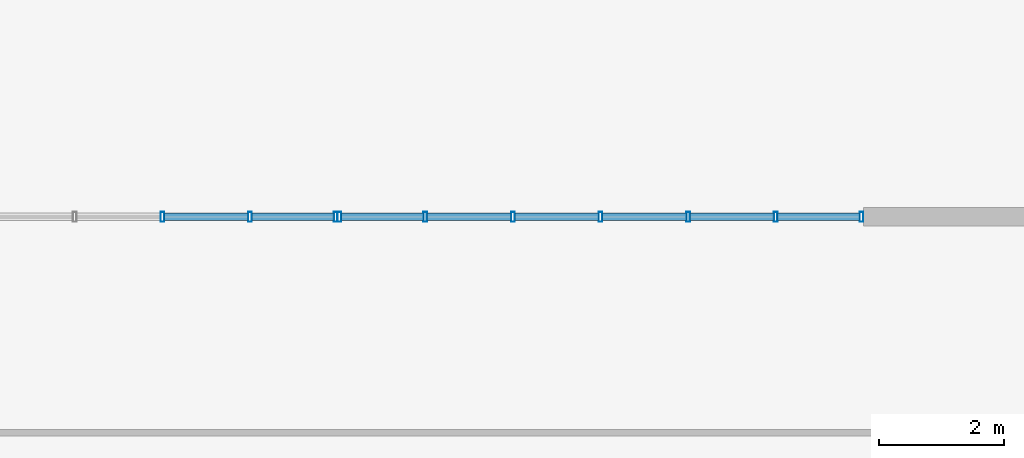
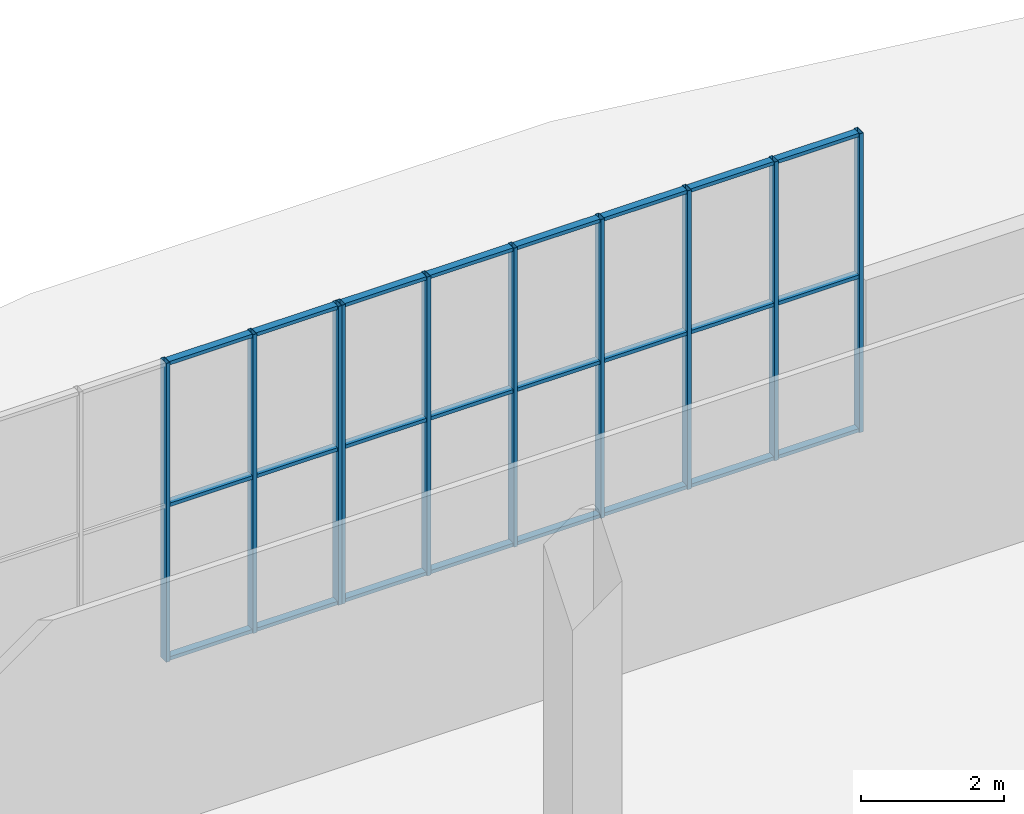
# One storey, part 31 of 91: 34 members, 2 elements without a shape of their own.
"""IFC4 building model written with IfcOpenShell, lengths in metres."""

import ifcopenshell
import ifcopenshell.guid

model = None  # the IFC model being written
_history = None  # IfcOwnerHistory: only IFC2X3 demands one
_inside = {}  # id of a spatial element -> (the spatial element, [elements in it])
_under = {}  # id of a project, library or spatial element -> (it, [spatial elements below it])
_declared = {}  # id of a project -> (the project, [libraries it declares])
_typed = {}  # id of a type object -> (the type object, [elements of that type])
_made_of = {}  # id of a material, layer set ... -> (it, [elements and type objects made of it])


def new_model(schema):
    """Start an empty IFC model of exactly this schema.

    Asked for "IFC4X3", IfcOpenShell would pick the latest addendum, in which some entities
    have other attributes; the version numbers below select the first issue.
    IFC2X3 requires an IfcOwnerHistory on every rooted entity: one is made here for all.
    """
    global model, _history
    if schema == "IFC4X3":
        model = ifcopenshell.file(schema_version=(4, 3, 0, 0))
    else:
        model = ifcopenshell.file(schema=schema)
    _inside.clear()
    _under.clear()
    _declared.clear()
    _typed.clear()
    _made_of.clear()
    _history = None
    if model.schema == "IFC2X3":
        org = make("IfcOrganization", Name="unknown")
        user = make(
            "IfcPersonAndOrganization",
            ThePerson=make("IfcPerson", FamilyName="unknown"),
            TheOrganization=org,
        )
        app = make(
            "IfcApplication",
            ApplicationDeveloper=org,
            Version="unknown",
            ApplicationFullName="unknown",
            ApplicationIdentifier="unknown",
        )
        _history = make(
            "IfcOwnerHistory",
            OwningUser=user,
            OwningApplication=app,
            ChangeAction="ADDED",
            CreationDate=0,
        )
    return model


def make(cls, **values):
    """One entity of the class cls with the attributes given. An attribute that is None is left unset."""
    return model.create_entity(
        cls, **{name: value for name, value in values.items() if value is not None}
    )


def rooted(cls, **values):
    """An entity with a GlobalId (a new one), such as an element, a storey or a relation."""
    return make(cls, GlobalId=ifcopenshell.guid.new(), OwnerHistory=_history, **values)


def si_unit(unit_type, name, prefix=None):
    """IfcSIUnit, for example si_unit("LENGTHUNIT", "METRE", prefix="MILLI")."""
    return make("IfcSIUnit", UnitType=unit_type, Prefix=prefix, Name=name)


def assignment(units):
    """IfcUnitAssignment: the units of a project."""
    return None if units is None else make("IfcUnitAssignment", Units=units)


def point(xyz):
    """IfcCartesianPoint."""
    return None if xyz is None else make("IfcCartesianPoint", Coordinates=xyz)


def direction(xyz):
    """IfcDirection."""
    return None if xyz is None else make("IfcDirection", DirectionRatios=xyz)


def frame(location, z_axis=None, x_axis=None):
    """IfcAxis2Placement3D, a coordinate frame: its origin and axes. An axis left out is left unset."""
    return make(
        "IfcAxis2Placement3D",
        Location=point(location),
        Axis=direction(z_axis),
        RefDirection=direction(x_axis),
    )


def frame_2d(location, x_axis=None):
    """IfcAxis2Placement2D, a coordinate frame in the plane: its origin and x axis."""
    return make(
        "IfcAxis2Placement2D", Location=point(location), RefDirection=direction(x_axis)
    )


def origin():
    """The frame at (0, 0, 0) with its axes left unset."""
    return frame((0.0, 0.0, 0.0))


def origin_2d():
    """The frame at (0, 0) in the plane with its x axis left unset."""
    return frame_2d((0.0, 0.0))


def place(relative_to, where):
    """IfcLocalPlacement: puts the frame where relative to a parent placement (None: the world)."""
    return make(
        "IfcLocalPlacement", PlacementRelTo=relative_to, RelativePlacement=where
    )


def context(
    kind, dimensions, precision=None, world=None, true_north=None, identifier=None
):
    """IfcGeometricRepresentationContext, for example the 3D "Model" context."""
    return make(
        "IfcGeometricRepresentationContext",
        ContextIdentifier=identifier,
        ContextType=kind,
        CoordinateSpaceDimension=dimensions,
        Precision=precision,
        WorldCoordinateSystem=world,
        TrueNorth=true_north,
    )


def subcontext(parent, identifier, kind, view, scale=None):
    """IfcGeometricRepresentationSubContext, for example "Body" below "Model"."""
    return make(
        "IfcGeometricRepresentationSubContext",
        ContextIdentifier=identifier,
        ContextType=kind,
        ParentContext=parent,
        TargetScale=scale,
        TargetView=view,
    )


def project(units=None, contexts=None):
    """IfcProject with its units and contexts."""
    return rooted(
        "IfcProject",
        Name="project",
        RepresentationContexts=contexts,
        UnitsInContext=assignment(units),
    )


def spatial(cls, under=None, at=None, **own):
    """A site, building, storey or space (cls), placed at a placement, below another one or the project."""
    s = rooted(cls, ObjectPlacement=at, **own)
    if under is not None:
        _under.setdefault(under.id(), (under, []))[1].append(s)
    return s


def profile(cls, at=None, kind="AREA", **sizes):
    """A parametric profile (cls). Its sizes go by their IFC names, for example OverallWidth=200.0."""
    return make(cls, ProfileType=kind, Position=at, **sizes)


def hollow_rectangle(**sizes):
    """IfcRectangleHollowProfileDef."""
    return profile("IfcRectangleHollowProfileDef", **sizes)


def extrude(swept, where, along, depth):
    """IfcExtrudedAreaSolid: the profile swept, set in the frame where, extruded along a direction by depth."""
    return make(
        "IfcExtrudedAreaSolid",
        SweptArea=swept,
        Position=where,
        ExtrudedDirection=direction(along),
        Depth=depth,
    )


def shape(context_of_items, identifier, shape_type, items):
    """IfcShapeRepresentation: the items that make up one representation, for example the "Body"."""
    return make(
        "IfcShapeRepresentation",
        ContextOfItems=context_of_items,
        RepresentationIdentifier=identifier,
        RepresentationType=shape_type,
        Items=items,
    )


def material(Name=None, Category=None):
    """IfcMaterial."""
    return make("IfcMaterial", Name=Name, Category=Category)


def material_profile(
    of_material, cross_section, Name=None, Category=None, Priority=None
):
    """IfcMaterialProfile: a cross section and its material."""
    return make(
        "IfcMaterialProfile",
        Name=Name,
        Material=of_material,
        Profile=cross_section,
        Priority=Priority,
        Category=Category,
    )


def profile_set(profiles, Name=None, composite=None):
    """IfcMaterialProfileSet."""
    return make(
        "IfcMaterialProfileSet",
        Name=Name,
        MaterialProfiles=profiles,
        CompositeProfile=composite,
    )


def made_of(thing, what):
    """Note that an element or type object is made of a material, layer set ...; save() writes the relation."""
    if what is not None:
        _made_of.setdefault(what.id(), (what, []))[1].append(thing)
    return thing


def type_object(cls, material=None, **own):
    """A type object (cls), such as IfcWallType, which elements share."""
    return made_of(rooted(cls, **own), material)


def element(
    cls,
    number,
    at=None,
    inside=None,
    cuts=None,
    type_object=None,
    material=None,
    context=None,
    identifier="Body",
    shape_type=None,
    held_by="IfcProductDefinitionShape",
    body=None,
    shapes=None,
    **own,
):
    """One element of the class cls, such as IfcWall. Its Tag is "e" and its number.

    at: its placement. inside: the storey or other place that contains it. cuts: it is an
    opening in that element (IfcRelVoidsElement). A single representation is given by context,
    identifier, shape_type and body (its items); several are given by shapes. held_by: the class
    of the entity that holds the representations. save() writes the other relations.
    """
    e = rooted(cls, Tag="e%d" % number, ObjectPlacement=at, **own)
    if body is not None:
        shapes = [shape(context, identifier, shape_type, body)]
    if shapes is not None:
        e.Representation = make(held_by, Representations=shapes)
    if inside is not None:
        _inside.setdefault(inside.id(), (inside, []))[1].append(e)
    if cuts is not None:
        rooted(
            "IfcRelVoidsElement", RelatingBuildingElement=cuts, RelatedOpeningElement=e
        )
    if type_object is not None:
        _typed.setdefault(type_object.id(), (type_object, []))[1].append(e)
    return made_of(e, material)


def aggregate(whole, parts):
    """IfcRelAggregates: a whole, such as a stair, and the parts it consists of."""
    return rooted("IfcRelAggregates", RelatingObject=whole, RelatedObjects=parts)


def save(model, path):
    """Write the relations noted so far, then the file.

    IfcRelAggregates (storeys below a building ...), IfcRelContainedInSpatialStructure (elements
    in a storey), IfcRelDefinesByType, IfcRelAssociatesMaterial and IfcRelDeclares: one each for
    every whole, place, type object, material and project.
    """
    for whole, parts in _under.values():
        aggregate(whole, parts)
    for where, things in _inside.values():
        rooted(
            "IfcRelContainedInSpatialStructure",
            RelatedElements=things,
            RelatingStructure=where,
        )
    for kind, things in _typed.values():
        rooted("IfcRelDefinesByType", RelatedObjects=things, RelatingType=kind)
    for what, things in _made_of.values():
        rooted("IfcRelAssociatesMaterial", RelatedObjects=things, RelatingMaterial=what)
    for by, libraries in _declared.values():
        rooted("IfcRelDeclares", RelatingContext=by, RelatedDefinitions=libraries)
    model.write(path)


model = new_model("IFC4")

# Units and contexts
model_context = context("Model", 3, precision=1e-05, world=origin(), true_north=direction((0.0, 1.0)))
body_context = subcontext(model_context, "Body", "Model", "MODEL_VIEW")
ifc_project = project(units=[si_unit("LENGTHUNIT", "METRE"), si_unit("AREAUNIT", "SQUARE_METRE"), si_unit("VOLUMEUNIT", "CUBIC_METRE"), si_unit("PLANEANGLEUNIT", "RADIAN"), si_unit("MASSUNIT", "GRAM", prefix="KILO")], contexts=[model_context])

# Site, building, storey
site_placement = place(None, origin())
site = spatial("IfcSite", under=ifc_project, at=site_placement, CompositionType="ELEMENT")
building_placement = place(site_placement, origin())
building = spatial("IfcBuilding", under=site, at=building_placement, Name="Khurvash Pelagic Aquarium", CompositionType="ELEMENT")
storey_placement = place(building_placement, origin())
storey = spatial("IfcBuildingStorey", under=building, at=storey_placement, Name="L00", CompositionType="ELEMENT", Elevation=0.0)

# Curtain wall, members
ifc_material_1 = material(Name="Anodised aluminium and low-E laminated glass", Category="aluminium")
curtain_wall_type = type_object("IfcCurtainWallType", Name="CW-02", PredefinedType="USERDEFINED", material=ifc_material_1)
curtain_wall_1_placement = place(storey_placement, origin())
curtain_wall_1 = element("IfcCurtainWall", 1, at=curtain_wall_1_placement, inside=storey, type_object=curtain_wall_type, Name="L00 Facade Unitised Curtain Wall CW-02 0096", ObjectType="UNITISED CURTAIN WALL", PredefinedType="USERDEFINED")
ifc_material_2 = material(Name="Extruded aluminium AW-6063-T6", Category="aluminium")
ifc_material_profile_1 = material_profile(ifc_material_2, hollow_rectangle(XDim=0.06005859375, YDim=0.159912109375, WallThickness=0.00390625, at=origin_2d()), Name="CWM60X160X4")
ifc_profile_set_1 = profile_set([ifc_material_profile_1], Name="Extruded aluminium AW-6063-T6")
member_type_1 = type_object("IfcMemberType", Name="CM-02", PredefinedType="MULLION", material=ifc_profile_set_1)
member_1_placement = place(storey_placement, frame((75.570068359375, 36.550048828125, 0.0), z_axis=(0.0, 0.0, 1.0), x_axis=(-1.0, 0.0, 0.0)))
member_1 = element("IfcMember", 2, at=member_1_placement, type_object=member_type_1, Name="CW-02 mullion 1", PredefinedType="MULLION", context=body_context, shape_type="SweptSolid", body=[
    extrude(hollow_rectangle(XDim=0.06005859375, YDim=0.159912109375, WallThickness=0.00390625, at=origin_2d()), origin(), (0.0, 0.0, 1.0), 5.090087890625),
])
member_2_placement = place(storey_placement, frame((74.199951171875, 36.550048828125, 0.0), z_axis=(0.0, 0.0, 1.0), x_axis=(-1.0, 0.0, 0.0)))
member_2 = element("IfcMember", 3, at=member_2_placement, type_object=member_type_1, Name="CW-02 mullion 2", PredefinedType="MULLION", context=body_context, shape_type="SweptSolid", body=[
    extrude(hollow_rectangle(XDim=0.06005859375, YDim=0.159912109375, WallThickness=0.00390625, at=origin_2d()), origin(), (0.0, 0.0, 1.0), 5.090087890625),
])
member_3_placement = place(storey_placement, frame((72.800048828125, 36.550048828125, 0.0), z_axis=(0.0, 0.0, 1.0), x_axis=(-1.0, 0.0, 0.0)))
member_3 = element("IfcMember", 4, at=member_3_placement, type_object=member_type_1, Name="CW-02 mullion 3", PredefinedType="MULLION", context=body_context, shape_type="SweptSolid", body=[
    extrude(hollow_rectangle(XDim=0.06005859375, YDim=0.159912109375, WallThickness=0.00390625, at=origin_2d()), origin(), (0.0, 0.0, 1.0), 5.090087890625),
])
member_4_placement = place(storey_placement, frame((71.39990234375, 36.550048828125, 0.0), z_axis=(0.0, 0.0, 1.0), x_axis=(-1.0, 0.0, 0.0)))
member_4 = element("IfcMember", 5, at=member_4_placement, type_object=member_type_1, Name="CW-02 mullion 4", PredefinedType="MULLION", context=body_context, shape_type="SweptSolid", body=[
    extrude(hollow_rectangle(XDim=0.06005859375, YDim=0.159912109375, WallThickness=0.00390625, at=origin_2d()), origin(), (0.0, 0.0, 1.0), 5.090087890625),
])
member_5_placement = place(storey_placement, frame((70.0, 36.550048828125, 0.0), z_axis=(0.0, 0.0, 1.0), x_axis=(-1.0, 0.0, 0.0)))
member_5 = element("IfcMember", 6, at=member_5_placement, type_object=member_type_1, Name="CW-02 mullion 5", PredefinedType="MULLION", context=body_context, shape_type="SweptSolid", body=[
    extrude(hollow_rectangle(XDim=0.06005859375, YDim=0.159912109375, WallThickness=0.00390625, at=origin_2d()), origin(), (0.0, 0.0, 1.0), 5.090087890625),
])
member_6_placement = place(storey_placement, frame((68.60009765625, 36.550048828125, 0.0), z_axis=(0.0, 0.0, 1.0), x_axis=(-1.0, 0.0, 0.0)))
member_6 = element("IfcMember", 7, at=member_6_placement, type_object=member_type_1, Name="CW-02 mullion 6", PredefinedType="MULLION", context=body_context, shape_type="SweptSolid", body=[
    extrude(hollow_rectangle(XDim=0.06005859375, YDim=0.159912109375, WallThickness=0.00390625, at=origin_2d()), origin(), (0.0, 0.0, 1.0), 5.090087890625),
])
member_7_placement = place(storey_placement, frame((67.22998046875, 36.550048828125, 0.0), z_axis=(0.0, 0.0, 1.0), x_axis=(-1.0, 0.0, 0.0)))
member_7 = element("IfcMember", 8, at=member_7_placement, type_object=member_type_1, Name="CW-02 mullion 7", PredefinedType="MULLION", context=body_context, shape_type="SweptSolid", body=[
    extrude(hollow_rectangle(XDim=0.06005859375, YDim=0.159912109375, WallThickness=0.00390625, at=origin_2d()), origin(), (0.0, 0.0, 1.0), 5.090087890625),
])

curtain_wall_2_placement = place(storey_placement, origin())
curtain_wall_2 = element("IfcCurtainWall", 9, at=curtain_wall_2_placement, inside=storey, type_object=curtain_wall_type, Name="L00 Facade Unitised Curtain Wall CW-02 0097", ObjectType="UNITISED CURTAIN WALL", PredefinedType="USERDEFINED")
member_8_placement = place(storey_placement, frame((67.169921875, 36.550048828125, 0.0), z_axis=(0.0, 0.0, 1.0), x_axis=(-1.0, 0.0, 0.0)))
member_8 = element("IfcMember", 10, at=member_8_placement, type_object=member_type_1, Name="CW-02 mullion 1", PredefinedType="MULLION", context=body_context, shape_type="SweptSolid", body=[
    extrude(hollow_rectangle(XDim=0.06005859375, YDim=0.159912109375, WallThickness=0.00390625, at=origin_2d()), origin(), (0.0, 0.0, 1.0), 5.090087890625),
])
member_9_placement = place(storey_placement, frame((65.800048828125, 36.550048828125, 0.0), z_axis=(0.0, 0.0, 1.0), x_axis=(-1.0, 0.0, 0.0)))
member_9 = element("IfcMember", 11, at=member_9_placement, type_object=member_type_1, Name="CW-02 mullion 2", PredefinedType="MULLION", context=body_context, shape_type="SweptSolid", body=[
    extrude(hollow_rectangle(XDim=0.06005859375, YDim=0.159912109375, WallThickness=0.00390625, at=origin_2d()), origin(), (0.0, 0.0, 1.0), 5.090087890625),
])
member_10_placement = place(storey_placement, frame((64.39990234375, 36.550048828125, 0.0), z_axis=(0.0, 0.0, 1.0), x_axis=(-1.0, 0.0, 0.0)))
member_10 = element("IfcMember", 12, at=member_10_placement, type_object=member_type_1, Name="CW-02 mullion 3", PredefinedType="MULLION", context=body_context, shape_type="SweptSolid", body=[
    extrude(hollow_rectangle(XDim=0.06005859375, YDim=0.159912109375, WallThickness=0.00390625, at=origin_2d()), origin(), (0.0, 0.0, 1.0), 5.090087890625),
])

# Member
ifc_material_profile_2 = material_profile(ifc_material_2, hollow_rectangle(XDim=0.1201171875, YDim=0.06005859375, WallThickness=0.00390625, at=origin_2d()), Name="CWT120X60X4")
ifc_profile_set_2 = profile_set([ifc_material_profile_2], Name="Extruded aluminium AW-6063-T6")
member_type_2 = type_object("IfcMemberType", Name="CT-02", PredefinedType="USERDEFINED", material=ifc_profile_set_2)
member_11_placement = place(storey_placement, frame((75.5400390625, 36.550048828125, 0.030029296875), z_axis=(-1.0, 0.0, 0.0), x_axis=(0.0, -1.0, 0.0)))
member_11 = element("IfcMember", 13, at=member_11_placement, type_object=member_type_2, Name="CW-02 transom 1.1", ObjectType="TRANSOM", PredefinedType="USERDEFINED", context=body_context, shape_type="SweptSolid", body=[
    extrude(hollow_rectangle(XDim=0.1201171875, YDim=0.06005859375, WallThickness=0.00390625, at=origin_2d()), origin(), (0.0, 0.0, 1.0), 1.31005859375),
])

member_12_placement = place(storey_placement, frame((75.5400390625, 36.550048828125, 2.64697265625), z_axis=(-1.0, 0.0, 0.0), x_axis=(0.0, -1.0, 0.0)))
member_12 = element("IfcMember", 14, at=member_12_placement, type_object=member_type_2, Name="CW-02 transom 1.2", ObjectType="TRANSOM", PredefinedType="USERDEFINED", context=body_context, shape_type="SweptSolid", body=[
    extrude(hollow_rectangle(XDim=0.1201171875, YDim=0.06005859375, WallThickness=0.00390625, at=origin_2d()), origin(), (0.0, 0.0, 1.0), 1.31005859375),
])

member_13_placement = place(storey_placement, frame((75.5400390625, 36.550048828125, 5.06005859375), z_axis=(-1.0, 0.0, 0.0), x_axis=(0.0, -1.0, 0.0)))
member_13 = element("IfcMember", 15, at=member_13_placement, type_object=member_type_2, Name="CW-02 transom 1.3", ObjectType="TRANSOM", PredefinedType="USERDEFINED", context=body_context, shape_type="SweptSolid", body=[
    extrude(hollow_rectangle(XDim=0.1201171875, YDim=0.06005859375, WallThickness=0.00390625, at=origin_2d()), origin(), (0.0, 0.0, 1.0), 1.31005859375),
])

member_14_placement = place(storey_placement, frame((74.169921875, 36.550048828125, 0.030029296875), z_axis=(-1.0, 0.0, 0.0), x_axis=(0.0, -1.0, 0.0)))
member_14 = element("IfcMember", 16, at=member_14_placement, type_object=member_type_2, Name="CW-02 transom 2.1", ObjectType="TRANSOM", PredefinedType="USERDEFINED", context=body_context, shape_type="SweptSolid", body=[
    extrude(hollow_rectangle(XDim=0.1201171875, YDim=0.06005859375, WallThickness=0.00390625, at=origin_2d()), origin(), (0.0, 0.0, 1.0), 1.33984375),
])

member_15_placement = place(storey_placement, frame((74.169921875, 36.550048828125, 2.64697265625), z_axis=(-1.0, 0.0, 0.0), x_axis=(0.0, -1.0, 0.0)))
member_15 = element("IfcMember", 17, at=member_15_placement, type_object=member_type_2, Name="CW-02 transom 2.2", ObjectType="TRANSOM", PredefinedType="USERDEFINED", context=body_context, shape_type="SweptSolid", body=[
    extrude(hollow_rectangle(XDim=0.1201171875, YDim=0.06005859375, WallThickness=0.00390625, at=origin_2d()), origin(), (0.0, 0.0, 1.0), 1.33984375),
])

member_16_placement = place(storey_placement, frame((74.169921875, 36.550048828125, 5.06005859375), z_axis=(-1.0, 0.0, 0.0), x_axis=(0.0, -1.0, 0.0)))
member_16 = element("IfcMember", 18, at=member_16_placement, type_object=member_type_2, Name="CW-02 transom 2.3", ObjectType="TRANSOM", PredefinedType="USERDEFINED", context=body_context, shape_type="SweptSolid", body=[
    extrude(hollow_rectangle(XDim=0.1201171875, YDim=0.06005859375, WallThickness=0.00390625, at=origin_2d()), origin(), (0.0, 0.0, 1.0), 1.33984375),
])

member_17_placement = place(storey_placement, frame((72.77001953125, 36.550048828125, 0.030029296875), z_axis=(-1.0, 0.0, 0.0), x_axis=(0.0, -1.0, 0.0)))
member_17 = element("IfcMember", 19, at=member_17_placement, type_object=member_type_2, Name="CW-02 transom 3.1", ObjectType="TRANSOM", PredefinedType="USERDEFINED", context=body_context, shape_type="SweptSolid", body=[
    extrude(hollow_rectangle(XDim=0.1201171875, YDim=0.06005859375, WallThickness=0.00390625, at=origin_2d()), origin(), (0.0, 0.0, 1.0), 1.340087890625),
])

member_18_placement = place(storey_placement, frame((72.77001953125, 36.550048828125, 2.64697265625), z_axis=(-1.0, 0.0, 0.0), x_axis=(0.0, -1.0, 0.0)))
member_18 = element("IfcMember", 20, at=member_18_placement, type_object=member_type_2, Name="CW-02 transom 3.2", ObjectType="TRANSOM", PredefinedType="USERDEFINED", context=body_context, shape_type="SweptSolid", body=[
    extrude(hollow_rectangle(XDim=0.1201171875, YDim=0.06005859375, WallThickness=0.00390625, at=origin_2d()), origin(), (0.0, 0.0, 1.0), 1.340087890625),
])

member_19_placement = place(storey_placement, frame((72.77001953125, 36.550048828125, 5.06005859375), z_axis=(-1.0, 0.0, 0.0), x_axis=(0.0, -1.0, 0.0)))
member_19 = element("IfcMember", 21, at=member_19_placement, type_object=member_type_2, Name="CW-02 transom 3.3", ObjectType="TRANSOM", PredefinedType="USERDEFINED", context=body_context, shape_type="SweptSolid", body=[
    extrude(hollow_rectangle(XDim=0.1201171875, YDim=0.06005859375, WallThickness=0.00390625, at=origin_2d()), origin(), (0.0, 0.0, 1.0), 1.340087890625),
])

member_20_placement = place(storey_placement, frame((71.3701171875, 36.550048828125, 0.030029296875), z_axis=(-1.0, 0.0, 0.0), x_axis=(0.0, -1.0, 0.0)))
member_20 = element("IfcMember", 22, at=member_20_placement, type_object=member_type_2, Name="CW-02 transom 4.1", ObjectType="TRANSOM", PredefinedType="USERDEFINED", context=body_context, shape_type="SweptSolid", body=[
    extrude(hollow_rectangle(XDim=0.1201171875, YDim=0.06005859375, WallThickness=0.00390625, at=origin_2d()), origin(), (0.0, 0.0, 1.0), 1.340087890625),
])

member_21_placement = place(storey_placement, frame((71.3701171875, 36.550048828125, 2.64697265625), z_axis=(-1.0, 0.0, 0.0), x_axis=(0.0, -1.0, 0.0)))
member_21 = element("IfcMember", 23, at=member_21_placement, type_object=member_type_2, Name="CW-02 transom 4.2", ObjectType="TRANSOM", PredefinedType="USERDEFINED", context=body_context, shape_type="SweptSolid", body=[
    extrude(hollow_rectangle(XDim=0.1201171875, YDim=0.06005859375, WallThickness=0.00390625, at=origin_2d()), origin(), (0.0, 0.0, 1.0), 1.340087890625),
])

member_22_placement = place(storey_placement, frame((71.3701171875, 36.550048828125, 5.06005859375), z_axis=(-1.0, 0.0, 0.0), x_axis=(0.0, -1.0, 0.0)))
member_22 = element("IfcMember", 24, at=member_22_placement, type_object=member_type_2, Name="CW-02 transom 4.3", ObjectType="TRANSOM", PredefinedType="USERDEFINED", context=body_context, shape_type="SweptSolid", body=[
    extrude(hollow_rectangle(XDim=0.1201171875, YDim=0.06005859375, WallThickness=0.00390625, at=origin_2d()), origin(), (0.0, 0.0, 1.0), 1.340087890625),
])

member_23_placement = place(storey_placement, frame((69.969970703125, 36.550048828125, 0.030029296875), z_axis=(-1.0, 0.0, 0.0), x_axis=(0.0, -1.0, 0.0)))
member_23 = element("IfcMember", 25, at=member_23_placement, type_object=member_type_2, Name="CW-02 transom 5.1", ObjectType="TRANSOM", PredefinedType="USERDEFINED", context=body_context, shape_type="SweptSolid", body=[
    extrude(hollow_rectangle(XDim=0.1201171875, YDim=0.06005859375, WallThickness=0.00390625, at=origin_2d()), origin(), (0.0, 0.0, 1.0), 1.340087890625),
])

member_24_placement = place(storey_placement, frame((69.969970703125, 36.550048828125, 2.64697265625), z_axis=(-1.0, 0.0, 0.0), x_axis=(0.0, -1.0, 0.0)))
member_24 = element("IfcMember", 26, at=member_24_placement, type_object=member_type_2, Name="CW-02 transom 5.2", ObjectType="TRANSOM", PredefinedType="USERDEFINED", context=body_context, shape_type="SweptSolid", body=[
    extrude(hollow_rectangle(XDim=0.1201171875, YDim=0.06005859375, WallThickness=0.00390625, at=origin_2d()), origin(), (0.0, 0.0, 1.0), 1.340087890625),
])

member_25_placement = place(storey_placement, frame((69.969970703125, 36.550048828125, 5.06005859375), z_axis=(-1.0, 0.0, 0.0), x_axis=(0.0, -1.0, 0.0)))
member_25 = element("IfcMember", 27, at=member_25_placement, type_object=member_type_2, Name="CW-02 transom 5.3", ObjectType="TRANSOM", PredefinedType="USERDEFINED", context=body_context, shape_type="SweptSolid", body=[
    extrude(hollow_rectangle(XDim=0.1201171875, YDim=0.06005859375, WallThickness=0.00390625, at=origin_2d()), origin(), (0.0, 0.0, 1.0), 1.340087890625),
])

member_26_placement = place(storey_placement, frame((68.570068359375, 36.550048828125, 0.030029296875), z_axis=(-1.0, 0.0, 0.0), x_axis=(0.0, -1.0, 0.0)))
member_26 = element("IfcMember", 28, at=member_26_placement, type_object=member_type_2, Name="CW-02 transom 6.1", ObjectType="TRANSOM", PredefinedType="USERDEFINED", context=body_context, shape_type="SweptSolid", body=[
    extrude(hollow_rectangle(XDim=0.1201171875, YDim=0.06005859375, WallThickness=0.00390625, at=origin_2d()), origin(), (0.0, 0.0, 1.0), 1.31005859375),
])

member_27_placement = place(storey_placement, frame((68.570068359375, 36.550048828125, 2.64697265625), z_axis=(-1.0, 0.0, 0.0), x_axis=(0.0, -1.0, 0.0)))
member_27 = element("IfcMember", 29, at=member_27_placement, type_object=member_type_2, Name="CW-02 transom 6.2", ObjectType="TRANSOM", PredefinedType="USERDEFINED", context=body_context, shape_type="SweptSolid", body=[
    extrude(hollow_rectangle(XDim=0.1201171875, YDim=0.06005859375, WallThickness=0.00390625, at=origin_2d()), origin(), (0.0, 0.0, 1.0), 1.31005859375),
])

member_28_placement = place(storey_placement, frame((68.570068359375, 36.550048828125, 5.06005859375), z_axis=(-1.0, 0.0, 0.0), x_axis=(0.0, -1.0, 0.0)))
member_28 = element("IfcMember", 30, at=member_28_placement, type_object=member_type_2, Name="CW-02 transom 6.3", ObjectType="TRANSOM", PredefinedType="USERDEFINED", context=body_context, shape_type="SweptSolid", body=[
    extrude(hollow_rectangle(XDim=0.1201171875, YDim=0.06005859375, WallThickness=0.00390625, at=origin_2d()), origin(), (0.0, 0.0, 1.0), 1.31005859375),
])

aggregate(curtain_wall_1, [member_1, member_2, member_3, member_4, member_5, member_6, member_7, member_11, member_12, member_13, member_14, member_15, member_16, member_17, member_18, member_19, member_20, member_21, member_22, member_23, member_24, member_25, member_26, member_27, member_28])

member_29_placement = place(storey_placement, frame((67.139892578125, 36.550048828125, 0.030029296875), z_axis=(-1.0, 0.0, 0.0), x_axis=(0.0, -1.0, 0.0)))
member_29 = element("IfcMember", 31, at=member_29_placement, type_object=member_type_2, Name="CW-02 transom 1.1", ObjectType="TRANSOM", PredefinedType="USERDEFINED", context=body_context, shape_type="SweptSolid", body=[
    extrude(hollow_rectangle(XDim=0.1201171875, YDim=0.06005859375, WallThickness=0.00390625, at=origin_2d()), origin(), (0.0, 0.0, 1.0), 1.309814453125),
])

member_30_placement = place(storey_placement, frame((67.139892578125, 36.550048828125, 2.64697265625), z_axis=(-1.0, 0.0, 0.0), x_axis=(0.0, -1.0, 0.0)))
member_30 = element("IfcMember", 32, at=member_30_placement, type_object=member_type_2, Name="CW-02 transom 1.2", ObjectType="TRANSOM", PredefinedType="USERDEFINED", context=body_context, shape_type="SweptSolid", body=[
    extrude(hollow_rectangle(XDim=0.1201171875, YDim=0.06005859375, WallThickness=0.00390625, at=origin_2d()), origin(), (0.0, 0.0, 1.0), 1.309814453125),
])

member_31_placement = place(storey_placement, frame((67.139892578125, 36.550048828125, 5.06005859375), z_axis=(-1.0, 0.0, 0.0), x_axis=(0.0, -1.0, 0.0)))
member_31 = element("IfcMember", 33, at=member_31_placement, type_object=member_type_2, Name="CW-02 transom 1.3", ObjectType="TRANSOM", PredefinedType="USERDEFINED", context=body_context, shape_type="SweptSolid", body=[
    extrude(hollow_rectangle(XDim=0.1201171875, YDim=0.06005859375, WallThickness=0.00390625, at=origin_2d()), origin(), (0.0, 0.0, 1.0), 1.309814453125),
])

member_32_placement = place(storey_placement, frame((65.77001953125, 36.550048828125, 0.030029296875), z_axis=(-1.0, 0.0, 0.0), x_axis=(0.0, -1.0, 0.0)))
member_32 = element("IfcMember", 34, at=member_32_placement, type_object=member_type_2, Name="CW-02 transom 2.1", ObjectType="TRANSOM", PredefinedType="USERDEFINED", context=body_context, shape_type="SweptSolid", body=[
    extrude(hollow_rectangle(XDim=0.1201171875, YDim=0.06005859375, WallThickness=0.00390625, at=origin_2d()), origin(), (0.0, 0.0, 1.0), 1.340087890625),
])

member_33_placement = place(storey_placement, frame((65.77001953125, 36.550048828125, 2.64697265625), z_axis=(-1.0, 0.0, 0.0), x_axis=(0.0, -1.0, 0.0)))
member_33 = element("IfcMember", 35, at=member_33_placement, type_object=member_type_2, Name="CW-02 transom 2.2", ObjectType="TRANSOM", PredefinedType="USERDEFINED", context=body_context, shape_type="SweptSolid", body=[
    extrude(hollow_rectangle(XDim=0.1201171875, YDim=0.06005859375, WallThickness=0.00390625, at=origin_2d()), origin(), (0.0, 0.0, 1.0), 1.340087890625),
])

member_34_placement = place(storey_placement, frame((65.77001953125, 36.550048828125, 5.06005859375), z_axis=(-1.0, 0.0, 0.0), x_axis=(0.0, -1.0, 0.0)))
member_34 = element("IfcMember", 36, at=member_34_placement, type_object=member_type_2, Name="CW-02 transom 2.3", ObjectType="TRANSOM", PredefinedType="USERDEFINED", context=body_context, shape_type="SweptSolid", body=[
    extrude(hollow_rectangle(XDim=0.1201171875, YDim=0.06005859375, WallThickness=0.00390625, at=origin_2d()), origin(), (0.0, 0.0, 1.0), 1.340087890625),
])

aggregate(curtain_wall_2, [member_8, member_9, member_10, member_29, member_30, member_31, member_32, member_33, member_34])

save(model, "model.ifc")
